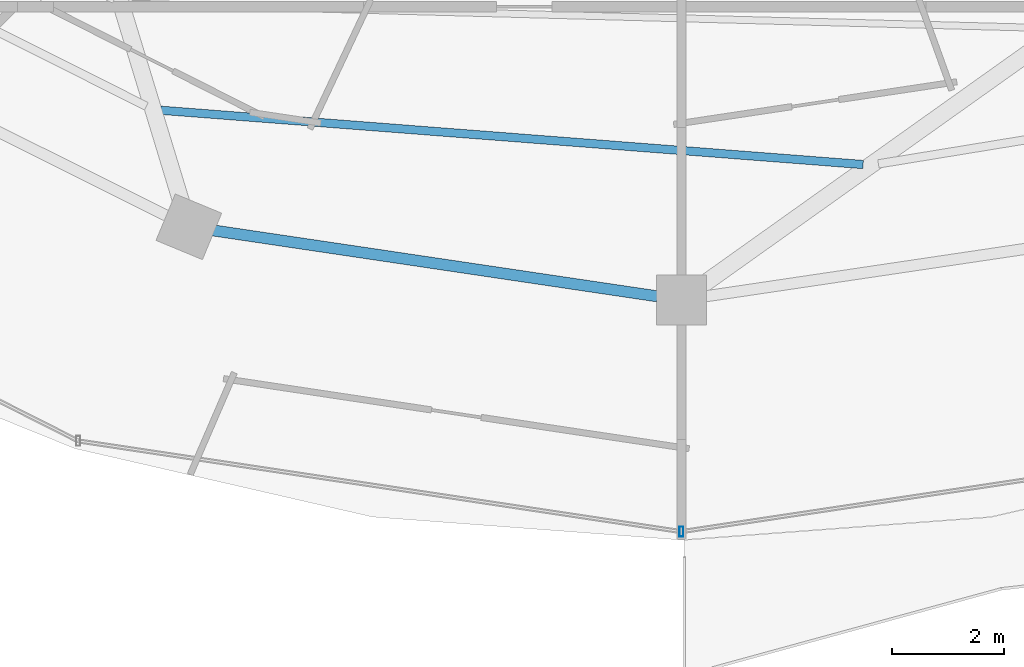
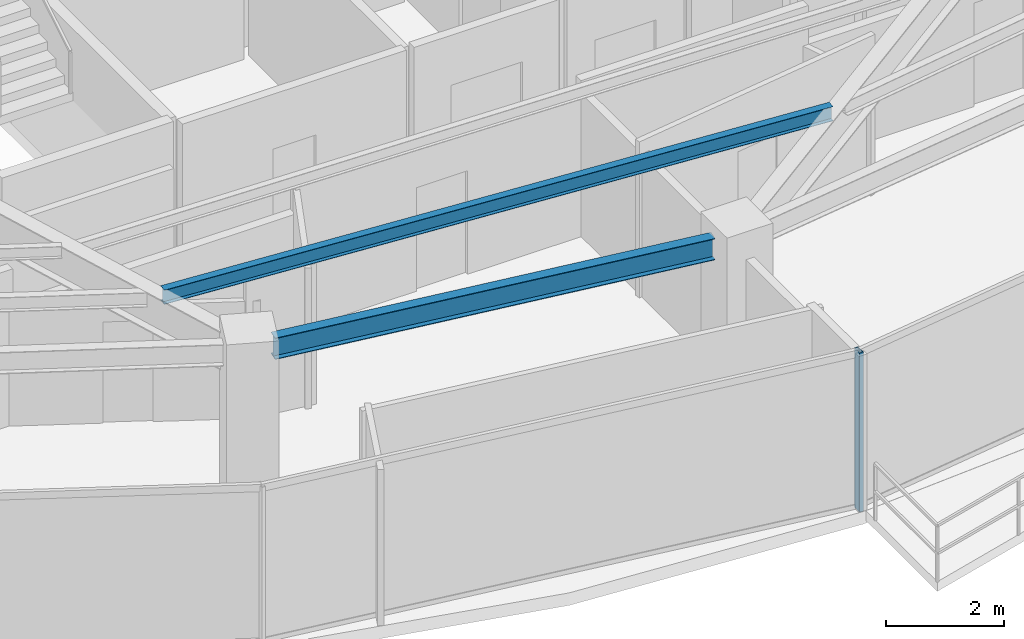
# One storey, part 5 of 33: 2 beams, 1 member, 1 element without a shape of its own.
"""IFC4 building model written with IfcOpenShell, lengths in metres."""

from ifc_helpers import new_model, si_unit, direction, frame, origin, origin_2d, place, context, subcontext, project, spatial, hollow_rectangle, i_section, extrude, material, material_profile, profile_set, type_object, element, aggregate, save


model = new_model("IFC4")

# Units and contexts
model_context = context("Model", 3, precision=1e-05, world=origin(), true_north=direction((0.0, 1.0)))
body_context = subcontext(model_context, "Body", "Model", "MODEL_VIEW")
ifc_project = project(units=[si_unit("LENGTHUNIT", "METRE"), si_unit("AREAUNIT", "SQUARE_METRE"), si_unit("VOLUMEUNIT", "CUBIC_METRE"), si_unit("PLANEANGLEUNIT", "RADIAN"), si_unit("MASSUNIT", "GRAM", prefix="KILO")], contexts=[model_context])

# Site, building, storey
site_placement = place(None, origin())
site = spatial("IfcSite", under=ifc_project, at=site_placement, CompositionType="ELEMENT")
building_placement = place(site_placement, origin())
building = spatial("IfcBuilding", under=site, at=building_placement, Name="Vorneva Point Tower", CompositionType="ELEMENT")
storey_placement = place(building_placement, frame((0.0, 0.0, 196.60009765625)))
storey = spatial("IfcBuildingStorey", under=building, at=storey_placement, Name="L53", CompositionType="ELEMENT", Elevation=196.60009765625)

# Beams
ifc_material_1 = material(Name="Steel S355", Category="steel")
ifc_material_profile_1 = material_profile(ifc_material_1, i_section(OverallWidth=0.14892578125, OverallDepth=0.298095703125, WebThickness=0.005615234375, FlangeThickness=0.008056640625, at=origin_2d()), Name="30B1")
ifc_profile_set_1 = profile_set([ifc_material_profile_1], Name="Steel S355")
beam_type_1 = type_object("IfcBeamType", Name="BM-JST-30B1", PredefinedType="JOIST", material=ifc_profile_set_1)
beam_1_placement = place(storey_placement, frame((28.678466796875, 12.196533203125, 3.0908203125), z_axis=(0.997025265707, -0.077075414639, 0.0), x_axis=(0.077075414639, 0.997025265707, 0.0)))
element("IfcBeam", 1, at=beam_1_placement, inside=storey, type_object=beam_type_1, Name="L53 Secondary Floor Beam 1.12", PredefinedType="JOIST", context=body_context, shape_type="SweptSolid", body=[
    extrude(i_section(OverallWidth=0.14892578125, OverallDepth=0.298095703125, WebThickness=0.005615234375, FlangeThickness=0.008056640625, at=origin_2d()), origin(), (0.0, 0.0, 1.0), 12.61328125),
])
ifc_material_profile_2 = material_profile(ifc_material_1, i_section(OverallWidth=0.198974609375, OverallDepth=0.446044921875, WebThickness=0.008056640625, FlangeThickness=0.011962890625, at=origin_2d()), Name="45B1")
ifc_profile_set_2 = profile_set([ifc_material_profile_2], Name="Steel S355")
beam_type_2 = type_object("IfcBeamType", Name="BM-SPN-45B1", PredefinedType="SPANDREL", material=ifc_profile_set_2)
beam_2_placement = place(storey_placement, frame((29.609375, 10.04541015625, 3.016845703125), z_axis=(0.989165476332, -0.146804837907, 0.0), x_axis=(0.146804837907, 0.989165476332, 0.0)))
element("IfcBeam", 2, at=beam_2_placement, inside=storey, type_object=beam_type_2, Name="L53 Perimeter Spandrel Ring Beam 12", PredefinedType="SPANDREL", context=body_context, shape_type="SweptSolid", body=[
    extrude(i_section(OverallWidth=0.198974609375, OverallDepth=0.446044921875, WebThickness=0.008056640625, FlangeThickness=0.011962890625, at=origin_2d()), origin(), (0.0, 0.0, 1.0), 8.04736328125),
])

# Curtain wall, member
ifc_material_2 = material(Name="Pale anodised aluminium", Category="aluminium")
curtain_wall_type = type_object("IfcCurtainWallType", Name="CW-RES-SYS", PredefinedType="NOTDEFINED", material=ifc_material_2)
curtain_wall_placement = place(storey_placement, origin())
curtain_wall = element("IfcCurtainWall", 3, at=curtain_wall_placement, inside=storey, type_object=curtain_wall_type, Name="L53 Unitised Curtain Wall CW-L53-R04", PredefinedType="NOTDEFINED")
ifc_material_profile_3 = material_profile(ifc_material_2, hollow_rectangle(XDim=0.074951171875, YDim=0.179931640625, WallThickness=0.00390625, at=origin_2d()), Name="AL-MUL 180x75x4")
ifc_profile_set_3 = profile_set([ifc_material_profile_3], Name="Pale anodised aluminium")
member_type = type_object("IfcMemberType", Name="CW-MUL-180", PredefinedType="MULLION", material=ifc_profile_set_3)
member_placement = place(storey_placement, frame((38.0, 4.64990234375, -0.0400390625), z_axis=(0.0, 0.0, 1.0), x_axis=(1.0, 0.0, 0.0)))
member = element("IfcMember", 4, at=member_placement, type_object=member_type, Name="CW-L53-R04 Mullion 03", PredefinedType="MULLION", context=body_context, shape_type="SweptSolid", body=[
    extrude(hollow_rectangle(XDim=0.074951171875, YDim=0.179931640625, WallThickness=0.00390625, at=origin_2d()), origin(), (0.0, 0.0, 1.0), 3.31005859375),
])
aggregate(curtain_wall, [member])

save(model, "model.ifc")
